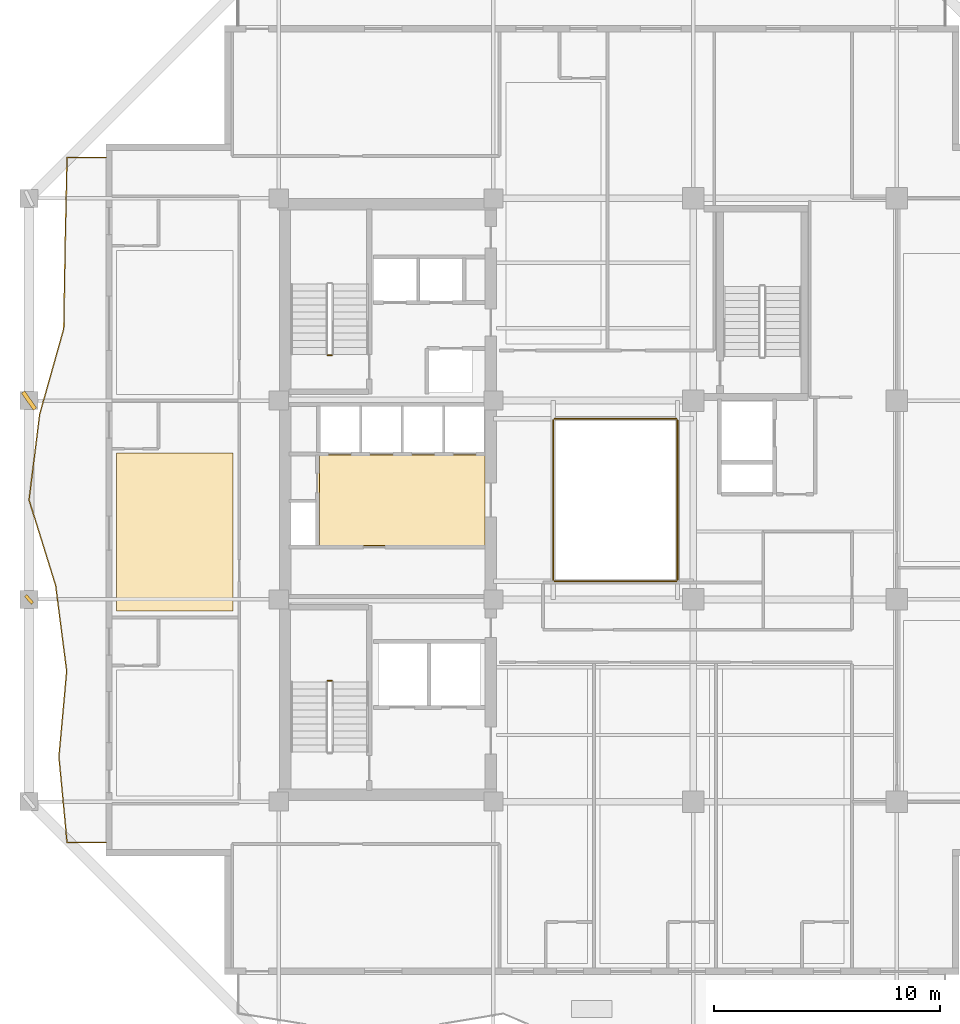
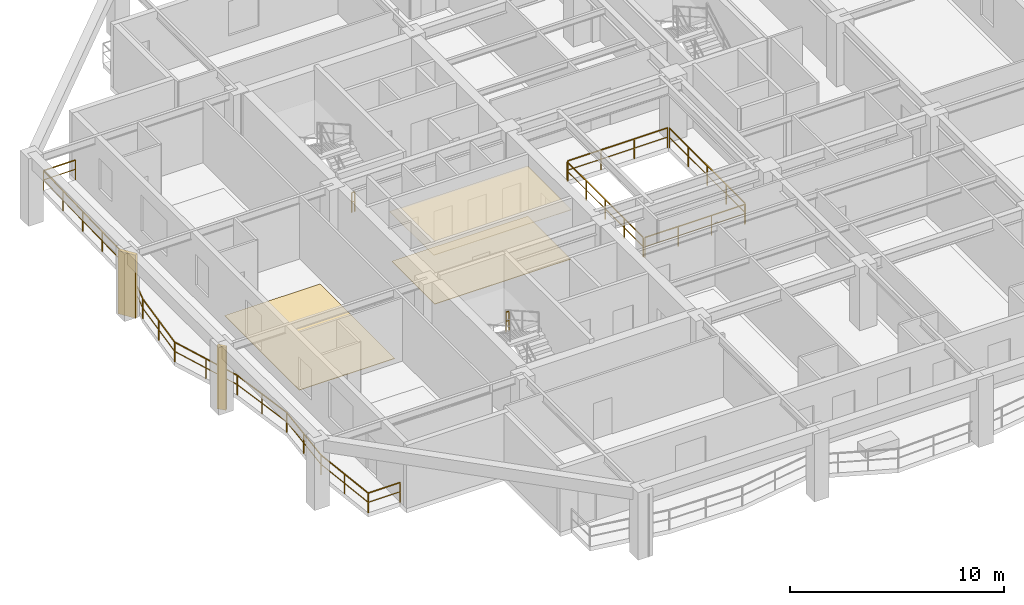
# One storey, part 9 of 12: 7 railings, 3 coverings, 2 shading devices.
"""IFC4 building model written with IfcOpenShell, lengths in metres."""

from ifc_helpers import new_model, si_unit, direction, frame, origin, origin_2d, place, context, subcontext, project, spatial, polyline, rectangle, outline, extrude, material, layer, layer_set, type_object, element, save


model = new_model("IFC4")

# Units and contexts
model_context = context("Model", 3, precision=1e-05, world=origin(), true_north=direction((0.0, 1.0)))
body_context = subcontext(model_context, "Body", "Model", "MODEL_VIEW")
ifc_project = project(units=[si_unit("LENGTHUNIT", "METRE"), si_unit("AREAUNIT", "SQUARE_METRE"), si_unit("VOLUMEUNIT", "CUBIC_METRE"), si_unit("PLANEANGLEUNIT", "RADIAN"), si_unit("MASSUNIT", "GRAM", prefix="KILO")], contexts=[model_context])

# Site, building, storey
site_placement = place(None, origin())
site = spatial("IfcSite", under=ifc_project, at=site_placement, CompositionType="ELEMENT")
building_placement = place(site_placement, origin())
building = spatial("IfcBuilding", under=site, at=building_placement, Name="Kundavana Baori Tower", CompositionType="ELEMENT")
storey_placement = place(building_placement, frame((0.0, 0.0, 173.300048828125)))
storey = spatial("IfcBuildingStorey", under=building, at=storey_placement, Name="L42", CompositionType="ELEMENT", Elevation=173.300048828125)

# Coverings
ifc_material_1 = material(Name="Perforated Acoustic Mineral Fibre Ceiling Board")
ifc_layer_1 = layer(ifc_material_1, 0.02490234375, Name="COV-INT-CEIL")
ifc_layer_set_1 = layer_set([ifc_layer_1], Name="Perforated Acoustic Mineral Fibre Ceiling Board")
covering_type_1 = type_object("IfcCoveringType", Name="COV-INT-CEIL", PredefinedType="CEILING", material=ifc_layer_set_1)
covering_1_placement = place(storey_placement, frame((0.0, 0.0, 2.849853515625)))
element("IfcCovering", 1, at=covering_1_placement, inside=storey, type_object=covering_type_1, Name="L42 Core Lift Lobby Acoustic Ceiling", PredefinedType="CEILING", context=body_context, shape_type="SweptSolid", body=[
    extrude(outline(polyline([(17.159912109375, 26.52001953125), (24.580078125, 26.52001953125), (24.580078125, 30.639892578125), (17.159912109375, 30.639892578125), (17.159912109375, 26.52001953125)])), origin(), (0.0, 0.0, 1.0), 0.025146484375),
])
ifc_material_2 = material(Name="Honed Kota Stone and Terrazzo Flooring", Category="masonry")
ifc_layer_2 = layer(ifc_material_2, 0.030029296875, Name="COV-INT-FLR")
ifc_layer_set_2 = layer_set([ifc_layer_2], Name="Honed Kota Stone and Terrazzo Flooring")
covering_type_2 = type_object("IfcCoveringType", Name="COV-INT-FLR", PredefinedType="FLOORING", material=ifc_layer_set_2)
covering_2_placement = place(storey_placement, origin())
element("IfcCovering", 2, at=covering_2_placement, inside=storey, type_object=covering_type_2, Name="L42 Room Finished Stone Flooring 2", PredefinedType="FLOORING", context=body_context, shape_type="SweptSolid", body=[
    extrude(outline(polyline([(8.280029296875, 23.679931640625), (13.419921875, 23.679931640625), (13.419921875, 30.669921875), (8.280029296875, 30.669921875), (8.280029296875, 23.679931640625)])), origin(), (0.0, 0.0, 1.0), 0.030029296875),
])
covering_3_placement = place(storey_placement, origin())
element("IfcCovering", 3, at=covering_3_placement, inside=storey, type_object=covering_type_2, Name="L42 Core Lift Lobby Kota Stone Flooring", PredefinedType="FLOORING", context=body_context, shape_type="SweptSolid", body=[
    extrude(outline(polyline([(17.25, 26.580078125), (24.580078125, 26.580078125), (24.580078125, 30.60009765625), (17.25, 30.60009765625), (17.25, 26.580078125)])), origin(), (0.0, 0.0, 1.0), 0.030029296875),
])

# Railings
ifc_material_3 = material(Name="Architectural Patinated Bronze Metalwork")
railing_type_1 = type_object("IfcRailingType", Name="RL-BAL-1150", PredefinedType="BALUSTRADE", material=ifc_material_3)
railing_1_placement = place(storey_placement, frame((7.800048828125, 13.449951171875, 0.0)))
element("IfcRailing", 4, at=railing_1_placement, inside=storey, type_object=railing_type_1, Name="L42 Loggia Balcony Balustrade W", PredefinedType="BALUSTRADE", context=body_context, shape_type="SweptSolid", body=[
    extrude(rectangle(XDim=0.048095703125, YDim=0.048095703125, at=origin_2d()), frame((0.0, 0.0, 1.1259765625), z_axis=(-1.0, 0.0, 0.0), x_axis=(0.0, -1.0, 0.0)), (0.0, 0.0, 1.0), 1.719970703125),
    extrude(rectangle(XDim=0.03125, YDim=0.03125, at=origin_2d()), frame((0.0, 0.0, 0.597900390625), z_axis=(-1.0, 0.0, 0.0), x_axis=(0.0, -1.0, 0.0)), (0.0, 0.0, 1.0), 1.719970703125),
    extrude(rectangle(XDim=0.048095703125, YDim=0.048095703125, at=origin_2d()), frame((-1.719970703125, 0.0, 1.1259765625), z_axis=(-0.094636507087, 0.995511894216, 0.0), x_axis=(-0.995511894216, -0.094636507087, 0.0)), (0.0, 0.0, 1.0), 3.80517578125),
    extrude(rectangle(XDim=0.03125, YDim=0.03125, at=origin_2d()), frame((-1.719970703125, 0.0, 0.597900390625), z_axis=(-0.094636507087, 0.995511894216, 0.0), x_axis=(-0.995511894216, -0.094636507087, 0.0)), (0.0, 0.0, 1.0), 3.80517578125),
    extrude(rectangle(XDim=0.048095703125, YDim=0.048095703125, at=origin_2d()), frame((-2.080078125, 3.7880859375, 1.1259765625), z_axis=(0.090211545969, 0.995922625998, 0.0), x_axis=(-0.995922625998, 0.090211545969, 0.0)), (0.0, 0.0, 1.0), 3.802490234375),
    extrude(rectangle(XDim=0.03125, YDim=0.03125, at=origin_2d()), frame((-2.080078125, 3.7880859375, 0.597900390625), z_axis=(0.090211545969, 0.995922625998, 0.0), x_axis=(-0.995922625998, 0.090211545969, 0.0)), (0.0, 0.0, 1.0), 3.802490234375),
    extrude(rectangle(XDim=0.048095703125, YDim=0.048095703125, at=origin_2d()), frame((-1.737060546875, 7.574951171875, 1.1259765625), z_axis=(-0.127307873225, 0.991863249352, 0.0), x_axis=(-0.991863249352, -0.127307873225, 0.0)), (0.0, 0.0, 1.0), 3.818115234375),
    extrude(rectangle(XDim=0.03125, YDim=0.03125, at=origin_2d()), frame((-1.737060546875, 7.574951171875, 0.597900390625), z_axis=(-0.127307873225, 0.991863249352, 0.0), x_axis=(-0.991863249352, -0.127307873225, 0.0)), (0.0, 0.0, 1.0), 3.818115234375),
    extrude(rectangle(XDim=0.048095703125, YDim=0.048095703125, at=origin_2d()), frame((-2.22314453125, 11.362060546875, 1.1259765625), z_axis=(-0.296718615779, 0.954964953833, 0.0), x_axis=(-0.954964953833, -0.296718615779, 0.0)), (0.0, 0.0, 1.0), 3.966796875),
    extrude(rectangle(XDim=0.03125, YDim=0.03125, at=origin_2d()), frame((-2.22314453125, 11.362060546875, 0.597900390625), z_axis=(-0.296718615779, 0.954964953833, 0.0), x_axis=(-0.954964953833, -0.296718615779, 0.0)), (0.0, 0.0, 1.0), 3.966796875),
    extrude(rectangle(XDim=0.048095703125, YDim=0.048095703125, at=origin_2d()), frame((-3.400146484375, 15.150146484375, 1.1259765625), z_axis=(0.122373326497, 0.992484140408, 0.0), x_axis=(-0.992484140408, 0.122373326497, 0.0)), (0.0, 0.0, 1.0), 3.81640625),
    extrude(rectangle(XDim=0.03125, YDim=0.03125, at=origin_2d()), frame((-3.400146484375, 15.150146484375, 0.597900390625), z_axis=(0.122373326497, 0.992484140408, 0.0), x_axis=(-0.992484140408, 0.122373326497, 0.0)), (0.0, 0.0, 1.0), 3.81640625),
    extrude(rectangle(XDim=0.048095703125, YDim=0.048095703125, at=origin_2d()), frame((-2.93310546875, 18.93798828125, 1.1259765625), z_axis=(0.270989965618, 0.962582172354, 0.0), x_axis=(-0.962582172354, 0.270989965618, 0.0)), (0.0, 0.0, 1.0), 3.934326171875),
    extrude(rectangle(XDim=0.03125, YDim=0.03125, at=origin_2d()), frame((-2.93310546875, 18.93798828125, 0.597900390625), z_axis=(0.270989965618, 0.962582172354, 0.0), x_axis=(-0.962582172354, 0.270989965618, 0.0)), (0.0, 0.0, 1.0), 3.934326171875),
    extrude(rectangle(XDim=0.048095703125, YDim=0.048095703125, at=origin_2d()), frame((-1.866943359375, 22.72509765625, 1.1259765625), z_axis=(0.017146598823, 0.999852986268, 0.0), x_axis=(-0.999852986268, 0.017146598823, 0.0)), (0.0, 0.0, 1.0), 3.787353515625),
    extrude(rectangle(XDim=0.03125, YDim=0.03125, at=origin_2d()), frame((-1.866943359375, 22.72509765625, 0.597900390625), z_axis=(0.017146598823, 0.999852986268, 0.0), x_axis=(-0.999852986268, 0.017146598823, 0.0)), (0.0, 0.0, 1.0), 3.787353515625),
    extrude(rectangle(XDim=0.048095703125, YDim=0.048095703125, at=origin_2d()), frame((-1.802001953125, 26.511962890625, 1.1259765625), z_axis=(0.02164999004, 0.999765611497, 0.0), x_axis=(-0.999765611497, 0.02164999004, 0.0)), (0.0, 0.0, 1.0), 3.7890625),
    extrude(rectangle(XDim=0.03125, YDim=0.03125, at=origin_2d()), frame((-1.802001953125, 26.511962890625, 0.597900390625), z_axis=(0.02164999004, 0.999765611497, 0.0), x_axis=(-0.999765611497, 0.02164999004, 0.0)), (0.0, 0.0, 1.0), 3.7890625),
    extrude(rectangle(XDim=0.048095703125, YDim=0.048095703125, at=origin_2d()), frame((-1.719970703125, 30.300048828125, 1.1259765625), z_axis=(1.0, 0.0, 0.0), x_axis=(0.0, 1.0, 0.0)), (0.0, 0.0, 1.0), 1.719970703125),
    extrude(rectangle(XDim=0.03125, YDim=0.03125, at=origin_2d()), frame((-1.719970703125, 30.300048828125, 0.597900390625), z_axis=(1.0, 0.0, 0.0), x_axis=(0.0, 1.0, 0.0)), (0.0, 0.0, 1.0), 1.719970703125),
    extrude(rectangle(XDim=0.0419921875, YDim=0.0419921875, at=origin_2d()), origin(), (0.0, 0.0, 1.0), 1.101806640625),
    extrude(rectangle(XDim=0.0419921875, YDim=0.0419921875, at=origin_2d()), frame((-1.719970703125, 0.0, 0.0)), (0.0, 0.0, 1.0), 1.101806640625),
    extrude(rectangle(XDim=0.0419921875, YDim=0.0419921875, at=origin_2d()), frame((-1.89990234375, 1.89404296875, 0.0)), (0.0, 0.0, 1.0), 1.101806640625),
    extrude(rectangle(XDim=0.0419921875, YDim=0.0419921875, at=origin_2d()), frame((-2.080078125, 3.7880859375, 0.0)), (0.0, 0.0, 1.0), 1.101806640625),
    extrude(rectangle(XDim=0.0419921875, YDim=0.0419921875, at=origin_2d()), frame((-1.90869140625, 5.681640625, 0.0)), (0.0, 0.0, 1.0), 1.101806640625),
    extrude(rectangle(XDim=0.0419921875, YDim=0.0419921875, at=origin_2d()), frame((-1.737060546875, 7.574951171875, 0.0)), (0.0, 0.0, 1.0), 1.101806640625),
    extrude(rectangle(XDim=0.0419921875, YDim=0.0419921875, at=origin_2d()), frame((-1.97998046875, 9.468505859375, 0.0)), (0.0, 0.0, 1.0), 1.101806640625),
    extrude(rectangle(XDim=0.0419921875, YDim=0.0419921875, at=origin_2d()), frame((-2.22314453125, 11.362060546875, 0.0)), (0.0, 0.0, 1.0), 1.101806640625),
    extrude(rectangle(XDim=0.0419921875, YDim=0.0419921875, at=origin_2d()), frame((-2.8115234375, 13.256103515625, 0.0)), (0.0, 0.0, 1.0), 1.101806640625),
    extrude(rectangle(XDim=0.0419921875, YDim=0.0419921875, at=origin_2d()), frame((-3.400146484375, 15.150146484375, 0.0)), (0.0, 0.0, 1.0), 1.101806640625),
    extrude(rectangle(XDim=0.0419921875, YDim=0.0419921875, at=origin_2d()), frame((-3.16650390625, 17.0439453125, 0.0)), (0.0, 0.0, 1.0), 1.101806640625),
    extrude(rectangle(XDim=0.0419921875, YDim=0.0419921875, at=origin_2d()), frame((-2.93310546875, 18.93798828125, 0.0)), (0.0, 0.0, 1.0), 1.101806640625),
    extrude(rectangle(XDim=0.0419921875, YDim=0.0419921875, at=origin_2d()), frame((-2.39990234375, 20.83154296875, 0.0)), (0.0, 0.0, 1.0), 1.101806640625),
    extrude(rectangle(XDim=0.0419921875, YDim=0.0419921875, at=origin_2d()), frame((-1.866943359375, 22.72509765625, 0.0)), (0.0, 0.0, 1.0), 1.101806640625),
    extrude(rectangle(XDim=0.0419921875, YDim=0.0419921875, at=origin_2d()), frame((-1.83447265625, 24.61865234375, 0.0)), (0.0, 0.0, 1.0), 1.101806640625),
    extrude(rectangle(XDim=0.0419921875, YDim=0.0419921875, at=origin_2d()), frame((-1.802001953125, 26.511962890625, 0.0)), (0.0, 0.0, 1.0), 1.101806640625),
    extrude(rectangle(XDim=0.0419921875, YDim=0.0419921875, at=origin_2d()), frame((-1.760986328125, 28.406005859375, 0.0)), (0.0, 0.0, 1.0), 1.101806640625),
    extrude(rectangle(XDim=0.0419921875, YDim=0.0419921875, at=origin_2d()), frame((-1.719970703125, 30.300048828125, 0.0)), (0.0, 0.0, 1.0), 1.101806640625),
    extrude(rectangle(XDim=0.0419921875, YDim=0.0419921875, at=origin_2d()), frame((0.0, 30.300048828125, 0.0)), (0.0, 0.0, 1.0), 1.101806640625),
])
ifc_material_4 = material(Name="Architectural Patinated Bronze Metalwork")
railing_type_2 = type_object("IfcRailingType", Name="RL-GRD-1150", PredefinedType="GUARDRAIL", material=ifc_material_4)
for number, where, name in (
    (5, (17.7900390625, 20.60009765625, 1.925048828125), "L42 ST1 stair guard 2"),
    (6, (17.7900390625, 35.0, 0.0), "L42 ST2 stair guard 4"),
):
    element("IfcRailing", number, at=place(storey_placement, frame(where)), inside=storey, type_object=railing_type_2, Name=name, PredefinedType="GUARDRAIL", context=body_context, shape_type="SweptSolid", body=[
        extrude(rectangle(XDim=0.048095703125, YDim=0.048095703125, at=origin_2d()), frame((0.0, 0.0, 1.1259765625), z_axis=(-1.0, 0.0, 0.0), x_axis=(0.0, -1.0, 0.0)), (0.0, 0.0, 1.0), 0.16015625),
        extrude(rectangle(XDim=0.03125, YDim=0.03125, at=origin_2d()), frame((0.0, 0.0, 0.597900390625), z_axis=(-1.0, 0.0, 0.0), x_axis=(0.0, -1.0, 0.0)), (0.0, 0.0, 1.0), 0.16015625),
        extrude(rectangle(XDim=0.0419921875, YDim=0.0419921875, at=origin_2d()), origin(), (0.0, 0.0, 1.0), 1.101806640625),
        extrude(rectangle(XDim=0.0419921875, YDim=0.0419921875, at=origin_2d()), frame((-0.16015625, 0.0, 0.0)), (0.0, 0.0, 1.0), 1.101806640625),
    ])
railing_2_placement = place(storey_placement, frame((27.659912109375, 25.0, 0.0)))
element("IfcRailing", 7, at=railing_2_placement, inside=storey, type_object=railing_type_2, Name="L42 Atrium Void Perimeter Guardrail S", PredefinedType="GUARDRAIL", context=body_context, shape_type="SweptSolid", body=[
    extrude(rectangle(XDim=0.048095703125, YDim=0.048095703125, at=origin_2d()), frame((0.0, 0.0, 1.1259765625), z_axis=(1.0, 0.0, 0.0), x_axis=(0.0, 1.0, 0.0)), (0.0, 0.0, 1.0), 5.380126953125),
    extrude(rectangle(XDim=0.03125, YDim=0.03125, at=origin_2d()), frame((0.0, 0.0, 0.597900390625), z_axis=(1.0, 0.0, 0.0), x_axis=(0.0, 1.0, 0.0)), (0.0, 0.0, 1.0), 5.380126953125),
    extrude(rectangle(XDim=0.0419921875, YDim=0.0419921875, at=origin_2d()), origin(), (0.0, 0.0, 1.0), 1.101806640625),
    extrude(rectangle(XDim=0.0419921875, YDim=0.0419921875, at=origin_2d()), frame((1.79345703125, 0.0, 0.0)), (0.0, 0.0, 1.0), 1.101806640625),
    extrude(rectangle(XDim=0.0419921875, YDim=0.0419921875, at=origin_2d()), frame((3.586669921875, 0.0, 0.0)), (0.0, 0.0, 1.0), 1.101806640625),
    extrude(rectangle(XDim=0.0419921875, YDim=0.0419921875, at=origin_2d()), frame((5.380126953125, 0.0, 0.0)), (0.0, 0.0, 1.0), 1.101806640625),
])
railing_3_placement = place(storey_placement, frame((33.10009765625, 25.06005859375, 0.0)))
element("IfcRailing", 8, at=railing_3_placement, inside=storey, type_object=railing_type_2, Name="L42 Atrium Void Perimeter Guardrail E", PredefinedType="GUARDRAIL", context=body_context, shape_type="SweptSolid", body=[
    extrude(rectangle(XDim=0.048095703125, YDim=0.048095703125, at=origin_2d()), frame((0.0, 0.0, 1.1259765625), z_axis=(0.0, 1.0, 0.0), x_axis=(-1.0, 0.0, 0.0)), (0.0, 0.0, 1.0), 7.079833984375),
    extrude(rectangle(XDim=0.03125, YDim=0.03125, at=origin_2d()), frame((0.0, 0.0, 0.597900390625), z_axis=(0.0, 1.0, 0.0), x_axis=(-1.0, 0.0, 0.0)), (0.0, 0.0, 1.0), 7.079833984375),
    extrude(rectangle(XDim=0.0419921875, YDim=0.0419921875, at=origin_2d()), origin(), (0.0, 0.0, 1.0), 1.101806640625),
    extrude(rectangle(XDim=0.0419921875, YDim=0.0419921875, at=origin_2d()), frame((0.0, 1.77001953125, 0.0)), (0.0, 0.0, 1.0), 1.101806640625),
    extrude(rectangle(XDim=0.0419921875, YDim=0.0419921875, at=origin_2d()), frame((0.0, 3.5400390625, 0.0)), (0.0, 0.0, 1.0), 1.101806640625),
    extrude(rectangle(XDim=0.0419921875, YDim=0.0419921875, at=origin_2d()), frame((0.0, 5.309814453125, 0.0)), (0.0, 0.0, 1.0), 1.101806640625),
    extrude(rectangle(XDim=0.0419921875, YDim=0.0419921875, at=origin_2d()), frame((0.0, 7.079833984375, 0.0)), (0.0, 0.0, 1.0), 1.101806640625),
])
railing_4_placement = place(storey_placement, frame((33.0400390625, 32.199951171875, 0.0)))
element("IfcRailing", 9, at=railing_4_placement, inside=storey, type_object=railing_type_2, Name="L42 Atrium Void Perimeter Guardrail N", PredefinedType="GUARDRAIL", context=body_context, shape_type="SweptSolid", body=[
    extrude(rectangle(XDim=0.048095703125, YDim=0.048095703125, at=origin_2d()), frame((0.0, 0.0, 1.1259765625), z_axis=(-1.0, 0.0, 0.0), x_axis=(0.0, -1.0, 0.0)), (0.0, 0.0, 1.0), 5.380126953125),
    extrude(rectangle(XDim=0.03125, YDim=0.03125, at=origin_2d()), frame((0.0, 0.0, 0.597900390625), z_axis=(-1.0, 0.0, 0.0), x_axis=(0.0, -1.0, 0.0)), (0.0, 0.0, 1.0), 5.380126953125),
    extrude(rectangle(XDim=0.0419921875, YDim=0.0419921875, at=origin_2d()), origin(), (0.0, 0.0, 1.0), 1.101806640625),
    extrude(rectangle(XDim=0.0419921875, YDim=0.0419921875, at=origin_2d()), frame((-1.79345703125, 0.0, 0.0)), (0.0, 0.0, 1.0), 1.101806640625),
    extrude(rectangle(XDim=0.0419921875, YDim=0.0419921875, at=origin_2d()), frame((-3.586669921875, 0.0, 0.0)), (0.0, 0.0, 1.0), 1.101806640625),
    extrude(rectangle(XDim=0.0419921875, YDim=0.0419921875, at=origin_2d()), frame((-5.380126953125, 0.0, 0.0)), (0.0, 0.0, 1.0), 1.101806640625),
])
railing_5_placement = place(storey_placement, frame((27.60009765625, 32.139892578125, 0.0)))
element("IfcRailing", 10, at=railing_5_placement, inside=storey, type_object=railing_type_2, Name="L42 Atrium Void Perimeter Guardrail W", PredefinedType="GUARDRAIL", context=body_context, shape_type="SweptSolid", body=[
    extrude(rectangle(XDim=0.048095703125, YDim=0.048095703125, at=origin_2d()), frame((0.0, 0.0, 1.1259765625), z_axis=(0.0, -1.0, 0.0), x_axis=(1.0, 0.0, 0.0)), (0.0, 0.0, 1.0), 7.079833984375),
    extrude(rectangle(XDim=0.03125, YDim=0.03125, at=origin_2d()), frame((0.0, 0.0, 0.597900390625), z_axis=(0.0, -1.0, 0.0), x_axis=(1.0, 0.0, 0.0)), (0.0, 0.0, 1.0), 7.079833984375),
    extrude(rectangle(XDim=0.0419921875, YDim=0.0419921875, at=origin_2d()), origin(), (0.0, 0.0, 1.0), 1.101806640625),
    extrude(rectangle(XDim=0.0419921875, YDim=0.0419921875, at=origin_2d()), frame((0.0, -1.77001953125, 0.0)), (0.0, 0.0, 1.0), 1.101806640625),
    extrude(rectangle(XDim=0.0419921875, YDim=0.0419921875, at=origin_2d()), frame((0.0, -3.5400390625, 0.0)), (0.0, 0.0, 1.0), 1.101806640625),
    extrude(rectangle(XDim=0.0419921875, YDim=0.0419921875, at=origin_2d()), frame((0.0, -5.309814453125, 0.0)), (0.0, 0.0, 1.0), 1.101806640625),
    extrude(rectangle(XDim=0.0419921875, YDim=0.0419921875, at=origin_2d()), frame((0.0, -7.079833984375, 0.0)), (0.0, 0.0, 1.0), 1.101806640625),
])

# Shading devices
ifc_material_5 = material(Name="Red-Buff Dholpur Sandstone Cladding on Concrete C40/50", Category="masonry")
shading_device_type_1 = type_object("IfcShadingDeviceType", Name="SHD-FIN-920", PredefinedType="JALOUSIE", material=ifc_material_5)
shading_device_1_placement = place(storey_placement, frame((4.39990234375, 33.0, 0.0), z_axis=(0.0, 0.0, 1.0), x_axis=(0.820451338314, 0.571716364519, 0.0)))
element("IfcShadingDevice", 11, at=shading_device_1_placement, inside=storey, type_object=shading_device_type_1, Name="L42 Sweeping Dholpur Sandstone Facade Fin 7", PredefinedType="JALOUSIE", context=body_context, shape_type="SweptSolid", body=[
    extrude(rectangle(XDim=0.179931640625, YDim=0.919921875, at=origin_2d()), origin(), (0.0, 0.0, 1.0), 3.60009765625),
])
ifc_material_6 = material(Name="Architectural Patinated Bronze Metalwork")
shading_device_type_2 = type_object("IfcShadingDeviceType", Name="SHD-LOUV-450", PredefinedType="SHUTTER", material=ifc_material_6)
shading_device_2_placement = place(storey_placement, frame((4.39990234375, 24.199951171875, 0.0), z_axis=(0.0, 0.0, 1.0), x_axis=(0.747682202125, 0.664056717928, 0.0)))
element("IfcShadingDevice", 12, at=shading_device_2_placement, inside=storey, type_object=shading_device_type_2, Name="L42 Sweeping Dholpur Sandstone Facade Fin 6", PredefinedType="SHUTTER", context=body_context, shape_type="SweptSolid", body=[
    extrude(rectangle(XDim=0.139892578125, YDim=0.449951171875, at=origin_2d()), origin(), (0.0, 0.0, 1.0), 3.60009765625),
])

save(model, "model.ifc")
